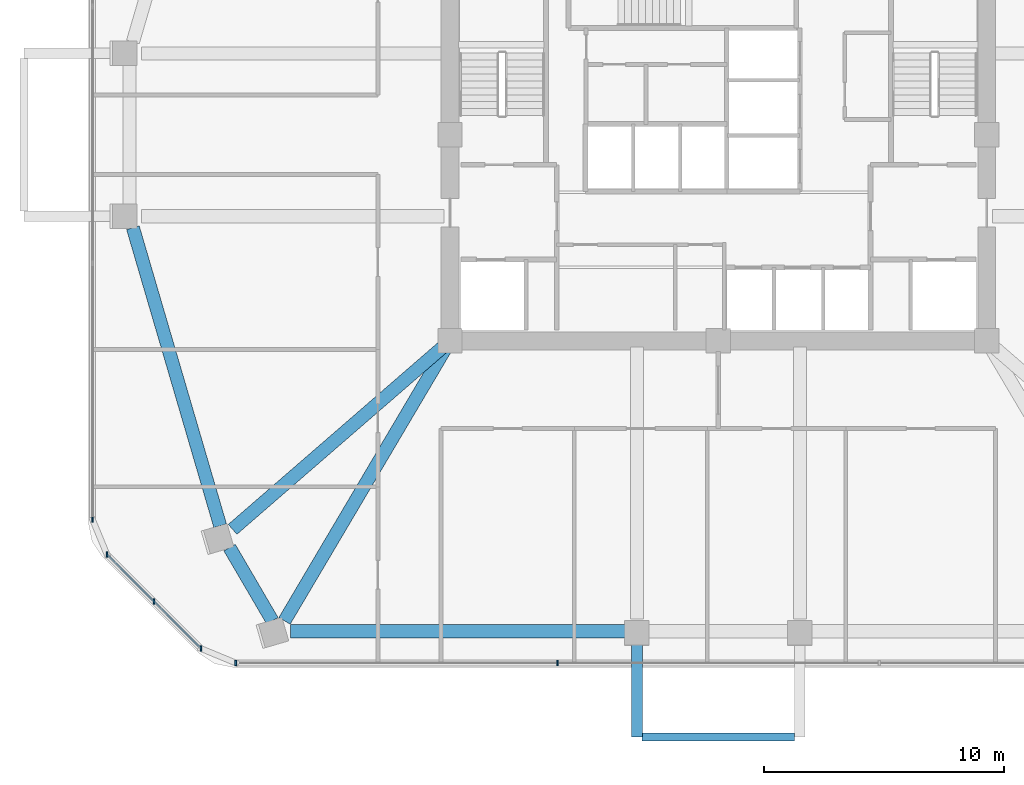
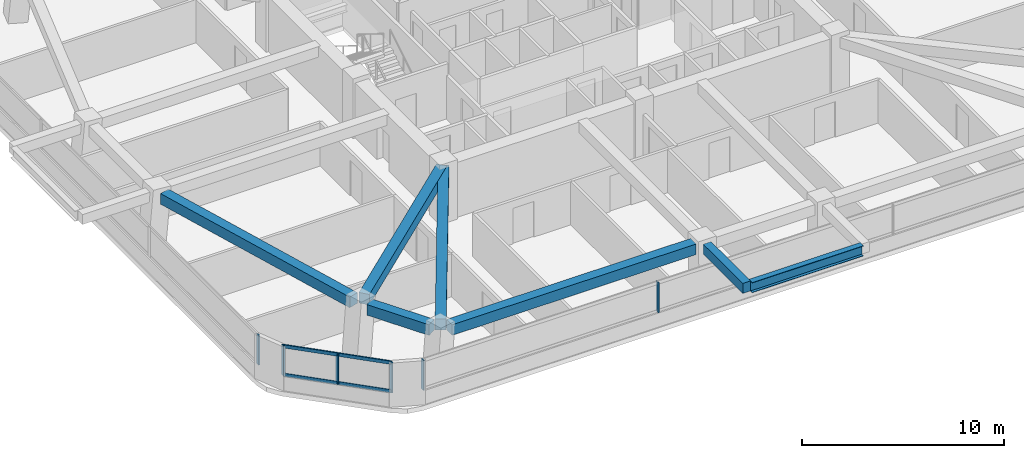
# One storey, part 2 of 14: 8 members, 7 beams, 3 elements without a shape of their own.
"""IFC4 building model written with IfcOpenShell, lengths in metres."""

from ifc_helpers import new_model, si_unit, derived_unit, direction, frame, origin, origin_2d, place, context, subcontext, project, spatial, rectangle, i_section, extrude, material, material_profile, profile_set, type_object, element, aggregate, save


model = new_model("IFC4")

# Units and contexts
model_context = context("Model", 3, precision=1e-05, world=origin(), true_north=direction((0.0, 1.0)))
body_context = subcontext(model_context, "Body", "Model", "MODEL_VIEW")
ifc_project = project(units=[si_unit("LENGTHUNIT", "METRE"), si_unit("AREAUNIT", "SQUARE_METRE"), si_unit("VOLUMEUNIT", "CUBIC_METRE"), si_unit("PLANEANGLEUNIT", "RADIAN"), si_unit("MASSUNIT", "GRAM", prefix="KILO"), derived_unit("THERMALTRANSMITTANCEUNIT", [(si_unit("POWERUNIT", "WATT"), 1), (si_unit("LENGTHUNIT", "METRE"), -2), (si_unit("THERMODYNAMICTEMPERATUREUNIT", "KELVIN"), -1)])], contexts=[model_context])

# Site, building, storey
site_placement = place(None, origin())
site = spatial("IfcSite", under=ifc_project, at=site_placement, CompositionType="ELEMENT")
building_placement = place(site_placement, origin())
building = spatial("IfcBuilding", under=site, at=building_placement, Name="Koralith Skygarden Medical Center", CompositionType="ELEMENT")
storey_placement = place(building_placement, frame((0.0, 0.0, 95.580078125)))
storey = spatial("IfcBuildingStorey", under=building, at=storey_placement, Name="L24", CompositionType="ELEMENT", Elevation=95.580078125)

# Curtain wall, members
ifc_material_1 = material(Name="Clear Laminated Glass", Category="glass")
curtain_wall_type = type_object("IfcCurtainWallType", Name="CW-3 Zone 2 Faceted Solar Curtain Wall", PredefinedType="NOTDEFINED", material=ifc_material_1)
curtain_wall_1_placement = place(storey_placement, origin())
curtain_wall_1 = element("IfcCurtainWall", 1, at=curtain_wall_1_placement, inside=storey, type_object=curtain_wall_type, Name="Curtain Wall CW-L24-S", PredefinedType="NOTDEFINED")
ifc_material_2 = material(Name="Aluminium 6063-T6", Category="aluminium")
ifc_material_profile_1 = material_profile(ifc_material_2, rectangle(XDim=0.073974609375, YDim=0.219970703125, at=origin_2d()), Name="MUL74X220")
ifc_profile_set_1 = profile_set([ifc_material_profile_1], Name="Aluminium 6063-T6")
member_type_1 = type_object("IfcMemberType", Name="CW-3 Extruded Mullion 74x220", PredefinedType="MULLION", material=ifc_profile_set_1)
member_1_placement = place(storey_placement, frame((16.860107421875, 3.85693359375, 0.849853515625), z_axis=(0.0, 0.0, 1.0), x_axis=(1.0, 0.0, 0.0)))
member_1 = element("IfcMember", 2, at=member_1_placement, type_object=member_type_1, Name="CW-L24-S Mullion 1", PredefinedType="MULLION", context=body_context, shape_type="SweptSolid", body=[
    extrude(rectangle(XDim=0.073974609375, YDim=0.219970703125, at=origin_2d()), origin(), (0.0, 0.0, 1.0), 1.820068359375),
])
member_2_placement = place(storey_placement, frame((30.287109375, 3.85693359375, 0.849853515625), z_axis=(0.0, 0.0, 1.0), x_axis=(1.0, 0.0, 0.0)))
member_2 = element("IfcMember", 3, at=member_2_placement, type_object=member_type_1, Name="CW-L24-S Mullion 2", PredefinedType="MULLION", context=body_context, shape_type="SweptSolid", body=[
    extrude(rectangle(XDim=0.073974609375, YDim=0.219970703125, at=origin_2d()), origin(), (0.0, 0.0, 1.0), 1.820068359375),
])
aggregate(curtain_wall_1, [member_1, member_2])

# Curtain wall, member
curtain_wall_2_placement = place(storey_placement, origin())
curtain_wall_2 = element("IfcCurtainWall", 4, at=curtain_wall_2_placement, inside=storey, type_object=curtain_wall_type, Name="Curtain Wall CW-L24-W", PredefinedType="NOTDEFINED")
member_3_placement = place(storey_placement, frame((10.884033203125, 9.83203125, 0.849853515625), z_axis=(0.0, 0.0, 1.0), x_axis=(1.0, 0.0, 0.0)))
member_3 = element("IfcMember", 5, at=member_3_placement, type_object=member_type_1, Name="CW-L24-W Mullion 4", PredefinedType="MULLION", context=body_context, shape_type="SweptSolid", body=[
    extrude(rectangle(XDim=0.073974609375, YDim=0.219970703125, at=origin_2d()), origin(), (0.0, 0.0, 1.0), 1.820068359375),
])
aggregate(curtain_wall_2, [member_3])

# Curtain wall, members
curtain_wall_3_placement = place(storey_placement, origin())
curtain_wall_3 = element("IfcCurtainWall", 6, at=curtain_wall_3_placement, inside=storey, type_object=curtain_wall_type, Name="Curtain Wall CW-L24-SW", PredefinedType="NOTDEFINED")
member_4_placement = place(storey_placement, frame((11.486083984375, 8.381103515625, 0.849853515625), z_axis=(0.0, 0.0, 1.0), x_axis=(1.0, 0.0, 0.0)))
member_4 = element("IfcMember", 7, at=member_4_placement, type_object=member_type_1, Name="CW-L24-SW Mullion 1", PredefinedType="MULLION", context=body_context, shape_type="SweptSolid", body=[
    extrude(rectangle(XDim=0.073974609375, YDim=0.219970703125, at=origin_2d()), origin(), (0.0, 0.0, 1.0), 1.820068359375),
])
member_5_placement = place(storey_placement, frame((13.447998046875, 6.419921875, 0.849853515625), z_axis=(0.0, 0.0, 1.0), x_axis=(1.0, 0.0, 0.0)))
member_5 = element("IfcMember", 8, at=member_5_placement, type_object=member_type_1, Name="CW-L24-SW Mullion 2", PredefinedType="MULLION", context=body_context, shape_type="SweptSolid", body=[
    extrude(rectangle(XDim=0.073974609375, YDim=0.219970703125, at=origin_2d()), origin(), (0.0, 0.0, 1.0), 1.820068359375),
])
member_6_placement = place(storey_placement, frame((15.408935546875, 4.4580078125, 0.849853515625), z_axis=(0.0, 0.0, 1.0), x_axis=(1.0, 0.0, 0.0)))
member_6 = element("IfcMember", 9, at=member_6_placement, type_object=member_type_1, Name="CW-L24-SW Mullion 3", PredefinedType="MULLION", context=body_context, shape_type="SweptSolid", body=[
    extrude(rectangle(XDim=0.073974609375, YDim=0.219970703125, at=origin_2d()), origin(), (0.0, 0.0, 1.0), 1.820068359375),
])
ifc_material_profile_2 = material_profile(ifc_material_2, rectangle(XDim=0.069091796875, YDim=0.197998046875, at=origin_2d()), Name="TRN69X198")
ifc_profile_set_2 = profile_set([ifc_material_profile_2], Name="Aluminium 6063-T6")
member_type_2 = type_object("IfcMemberType", Name="CW-3 Thermal Transom 69x198", PredefinedType="USERDEFINED", material=ifc_profile_set_2)
member_7_placement = place(storey_placement, frame((11.486083984375, 8.381103515625, 0.89990234375), z_axis=(0.707084777957, -0.707128783731, 0.0), x_axis=(0.707128783731, 0.707084777957, 0.0)))
member_7 = element("IfcMember", 10, at=member_7_placement, type_object=member_type_2, Name="CW-L24-SW Transom 1", ObjectType="TRANSOM", PredefinedType="USERDEFINED", context=body_context, shape_type="SweptSolid", body=[
    extrude(rectangle(XDim=0.069091796875, YDim=0.197998046875, at=origin_2d()), origin(), (0.0, 0.0, 1.0), 5.5478515625),
])
member_8_placement = place(storey_placement, frame((11.486083984375, 8.381103515625, 2.619873046875), z_axis=(0.707084777957, -0.707128783731, 0.0), x_axis=(0.707128783731, 0.707084777957, 0.0)))
member_8 = element("IfcMember", 11, at=member_8_placement, type_object=member_type_2, Name="CW-L24-SW Transom 2", ObjectType="TRANSOM", PredefinedType="USERDEFINED", context=body_context, shape_type="SweptSolid", body=[
    extrude(rectangle(XDim=0.069091796875, YDim=0.197998046875, at=origin_2d()), origin(), (0.0, 0.0, 1.0), 5.5478515625),
])
aggregate(curtain_wall_3, [member_4, member_5, member_6, member_7, member_8])

# Beams
ifc_material_3 = material(Name="Steel ASTM A992 Grade 50", Category="steel")
ifc_material_profile_3 = material_profile(ifc_material_3, i_section(OverallWidth=0.326904296875, OverallDepth=0.6220703125, WebThickness=0.015380859375, FlangeThickness=0.0244140625, at=origin_2d()), Name="W24X131")
ifc_profile_set_3 = profile_set([ifc_material_profile_3], Name="Steel ASTM A992 Grade 50")
beam_type_1 = type_object("IfcBeamType", Name="Cantilever Tie Beam W24X131", PredefinedType="BEAM", material=ifc_profile_set_3)
beam_1_placement = place(storey_placement, frame((33.820068359375, 0.77490234375, 3.02880859375), z_axis=(1.0, 0.0, 0.0), x_axis=(0.0, 1.0, 0.0)))
element("IfcBeam", 12, at=beam_1_placement, inside=storey, type_object=beam_type_1, Name="L25 S Balcony Tip Tie Beam", PredefinedType="BEAM", context=body_context, shape_type="SweptSolid", body=[
    extrude(i_section(OverallWidth=0.326904296875, OverallDepth=0.6220703125, WebThickness=0.015380859375, FlangeThickness=0.0244140625, at=origin_2d()), origin(), (0.0, 0.0, 1.0), 6.35986328125),
])
ifc_material_4 = material(Name="Concrete C45/55", Category="concrete")
ifc_material_profile_4 = material_profile(ifc_material_4, rectangle(XDim=0.449951171875, YDim=0.60009765625, at=origin_2d()), Name="RCB450X600")
ifc_profile_set_4 = profile_set([ifc_material_profile_4], Name="Concrete C45/55")
beam_type_2 = type_object("IfcBeamType", Name="Planted Balcony Cantilever Beam RCB450X600", PredefinedType="BEAM", material=ifc_profile_set_4)
beam_2_placement = place(storey_placement, frame((33.60009765625, 4.695068359375, 3.0400390625), z_axis=(0.0, -1.0, 0.0), x_axis=(1.0, 0.0, 0.0)))
element("IfcBeam", 13, at=beam_2_placement, inside=storey, type_object=beam_type_2, Name="L25 S Balcony Cantilever Beam A", PredefinedType="BEAM", context=body_context, shape_type="SweptSolid", body=[
    extrude(rectangle(XDim=0.449951171875, YDim=0.60009765625, at=origin_2d()), origin(), (0.0, 0.0, 1.0), 3.920166015625),
])
ifc_material_profile_5 = material_profile(ifc_material_4, rectangle(XDim=0.550048828125, YDim=0.639892578125, at=origin_2d()), Name="RCB550X640")
ifc_profile_set_5 = profile_set([ifc_material_profile_5], Name="Concrete C45/55")
beam_type_3 = type_object("IfcBeamType", Name="Radial Collector Beam RCB550X640", PredefinedType="BEAM", material=ifc_profile_set_5)
beam_3_placement = place(storey_placement, frame((25.611083984375, 17.135986328125, 3.0), z_axis=(-0.755617839439, -0.655012733251, 0.0), x_axis=(0.655012733251, -0.755617839439, 0.0)))
element("IfcBeam", 14, at=beam_3_placement, inside=storey, type_object=beam_type_3, Name="L24 Radial Collector Beam RB-02", PredefinedType="BEAM", context=body_context, shape_type="SweptSolid", body=[
    extrude(rectangle(XDim=0.550048828125, YDim=0.639892578125, at=origin_2d()), origin(), (0.0, 0.0, 1.0), 11.760009765625),
])
beam_4_placement = place(storey_placement, frame((25.673095703125, 17.0849609375, 3.0), z_axis=(-0.508858327637, -0.860850278733, 0.0), x_axis=(0.860850278733, -0.508858327637, 0.0)))
element("IfcBeam", 15, at=beam_4_placement, inside=storey, type_object=beam_type_3, Name="L24 Radial Collector Beam RB-03", PredefinedType="BEAM", context=body_context, shape_type="SweptSolid", body=[
    extrude(rectangle(XDim=0.550048828125, YDim=0.639892578125, at=origin_2d()), origin(), (0.0, 0.0, 1.0), 13.323974609375),
])
ifc_material_profile_6 = material_profile(ifc_material_4, rectangle(XDim=0.550048828125, YDim=0.639892578125, at=origin_2d()), Name="RCB550X640")
ifc_profile_set_6 = profile_set([ifc_material_profile_6], Name="Concrete C45/55")
beam_type_4 = type_object("IfcBeamType", Name="Zone 2-3 Spandrel Beam RCB550X640", PredefinedType="SPANDREL", material=ifc_profile_set_6)
beam_5_placement = place(storey_placement, frame((12.56689453125, 22.02001953125, 3.0), z_axis=(0.280962253951, -0.959718819163, 0.0), x_axis=(0.959718819163, 0.280962253951, 0.0)))
element("IfcBeam", 16, at=beam_5_placement, inside=storey, type_object=beam_type_4, Name="L24 Perimeter Spandrel Beam SP-01", PredefinedType="SPANDREL", context=body_context, shape_type="SweptSolid", body=[
    extrude(rectangle(XDim=0.550048828125, YDim=0.639892578125, at=origin_2d()), origin(), (0.0, 0.0, 1.0), 12.9560546875),
])
beam_6_placement = place(storey_placement, frame((16.59912109375, 8.674072265625, 3.0), z_axis=(0.504822258312, -0.863223312656, 0.0), x_axis=(0.863223312656, 0.504822258312, 0.0)))
element("IfcBeam", 17, at=beam_6_placement, inside=storey, type_object=beam_type_4, Name="L24 Perimeter Spandrel Beam SP-02", PredefinedType="SPANDREL", context=body_context, shape_type="SweptSolid", body=[
    extrude(rectangle(XDim=0.550048828125, YDim=0.639892578125, at=origin_2d()), origin(), (0.0, 0.0, 1.0), 3.54150390625),
])
beam_7_placement = place(storey_placement, frame((19.138916015625, 5.18505859375, 3.0), z_axis=(1.0, 0.0, 0.0), x_axis=(0.0, 1.0, 0.0)))
element("IfcBeam", 18, at=beam_7_placement, inside=storey, type_object=beam_type_4, Name="L24 Perimeter Spandrel Beam SP-03", PredefinedType="SPANDREL", context=body_context, shape_type="SweptSolid", body=[
    extrude(rectangle(XDim=0.550048828125, YDim=0.639892578125, at=origin_2d()), origin(), (0.0, 0.0, 1.0), 13.961181640625),
])

save(model, "model.ifc")
